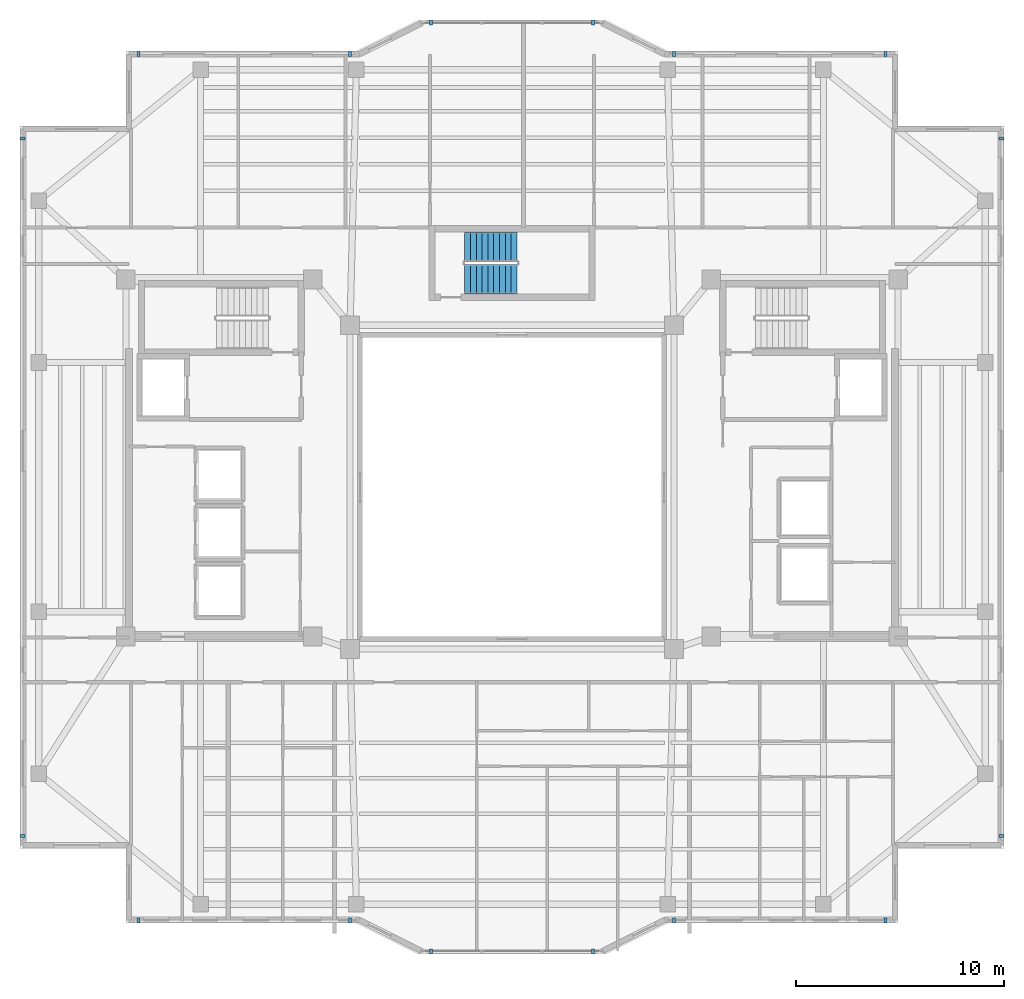
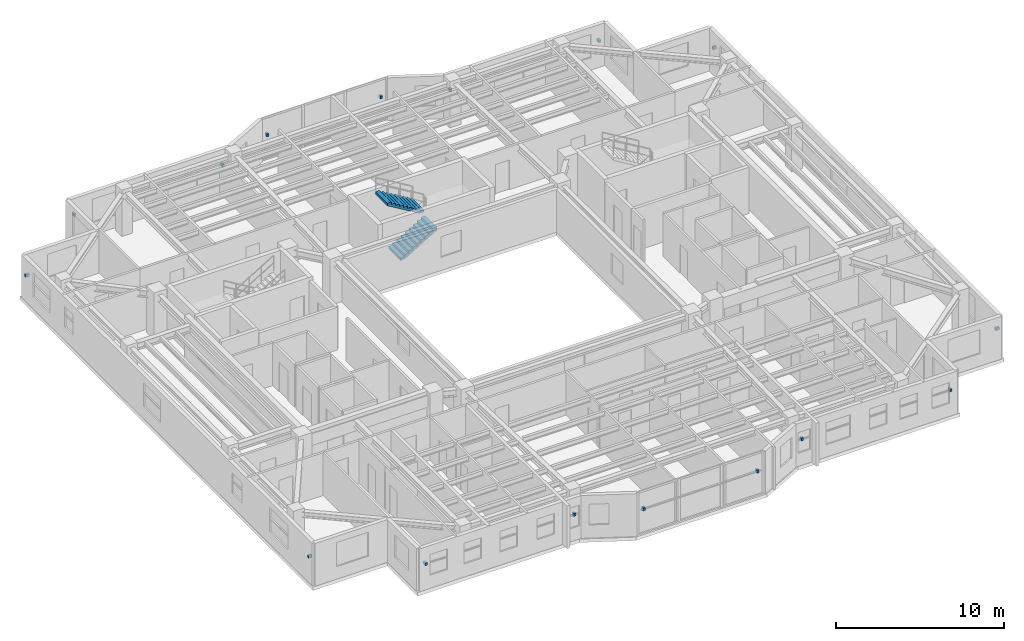
# One storey, part 11 of 14: 16 discrete accessories, 2 stair flights, 1 element without a shape of its own.
"""IFC4 building model written with IfcOpenShell, lengths in metres."""

from ifc_helpers import new_model, si_unit, direction, frame, origin, origin_2d, place, context, subcontext, project, spatial, polyline, rectangle, outline, extrude, material, type_object, element, aggregate, save


model = new_model("IFC4")

# Units and contexts
model_context = context("Model", 3, precision=1e-05, world=origin(), true_north=direction((0.0, 1.0)))
body_context = subcontext(model_context, "Body", "Model", "MODEL_VIEW")
ifc_project = project(units=[si_unit("LENGTHUNIT", "METRE"), si_unit("AREAUNIT", "SQUARE_METRE"), si_unit("VOLUMEUNIT", "CUBIC_METRE"), si_unit("PLANEANGLEUNIT", "RADIAN"), si_unit("MASSUNIT", "GRAM", prefix="KILO")], contexts=[model_context])

# Site, building, storey
site_placement = place(None, origin())
site = spatial("IfcSite", under=ifc_project, at=site_placement, CompositionType="ELEMENT")
building_placement = place(site_placement, origin())
building = spatial("IfcBuilding", under=site, at=building_placement, Name="Tarnavaz Court Tower", CompositionType="ELEMENT")
storey_placement = place(building_placement, frame((0.0, 0.0, 190.25)))
storey = spatial("IfcBuildingStorey", under=building, at=storey_placement, Name="L51", CompositionType="ELEMENT", Elevation=190.25)

# Stair, stair flights
ifc_material_1 = material(Name="Concrete C40/50", Category="concrete")
stair_type = type_object("IfcStairType", Name="ST-TWR-20R", PredefinedType="HALF_TURN_STAIR", material=ifc_material_1)
stair_placement = place(storey_placement, origin())
stair = element("IfcStair", 1, at=stair_placement, inside=storey, type_object=stair_type, Name="L51 North Ring Pressurized Exit Stair ST-N1", PredefinedType="HALF_TURN_STAIR")
stair_flight_type = type_object("IfcStairFlightType", Name="SFL-RC-20R", PredefinedType="STRAIGHT", material=ifc_material_1)
stair_flight_1_placement = place(storey_placement, frame((-2.280029296875, 10.010009765625, 0.0), z_axis=(0.0, 0.0, 1.0), x_axis=(1.0, 0.0, 0.0)))
stair_flight_1 = element("IfcStairFlight", 2, at=stair_flight_1_placement, type_object=stair_flight_type, Name="ST-N1 flight 1", NumberOfRisers=10, NumberOfTreads=9, PredefinedType="STRAIGHT", RiserHeight=0.1675, TreadLength=0.28, context=body_context, shape_type="SweptSolid", body=[
    extrude(outline(polyline([(0.0, 0.0), (0.0, 0.16748046875), (0.280029296875, 0.16748046875), (0.280029296875, 0.3349609375), (0.56005859375, 0.3349609375), (0.56005859375, 0.50244140625), (0.840087890625, 0.50244140625), (0.840087890625, 0.669921875), (1.1201171875, 0.669921875), (1.1201171875, 0.83740234375), (1.39990234375, 0.83740234375), (1.39990234375, 1.0048828125), (1.679931640625, 1.0048828125), (1.679931640625, 1.172607421875), (1.9599609375, 1.172607421875), (1.9599609375, 1.340087890625), (2.239990234375, 1.340087890625), (2.239990234375, 1.507568359375), (2.52001953125, 1.507568359375), (2.52001953125, 1.675048828125), (2.52001953125, 1.332763671875), (0.2919921875, 0.0), (0.0, 0.0)])), frame((0.0, 0.7099609375, 0.0), z_axis=(0.0, -1.0, 0.0), x_axis=(1.0, 0.0, 0.0)), (0.0, 0.0, 1.0), 1.419921875),
])
stair_flight_2_placement = place(storey_placement, frame((0.239990234375, 11.580078125, 1.675048828125), z_axis=(0.0, 0.0, 1.0), x_axis=(-1.0, 0.0, 0.0)))
stair_flight_2 = element("IfcStairFlight", 3, at=stair_flight_2_placement, type_object=stair_flight_type, Name="ST-N1 flight 2", NumberOfRisers=10, NumberOfTreads=9, PredefinedType="STRAIGHT", RiserHeight=0.1675, TreadLength=0.28, context=body_context, shape_type="SweptSolid", body=[
    extrude(outline(polyline([(0.0, 0.0), (0.0, 0.16748046875), (0.280029296875, 0.16748046875), (0.280029296875, 0.3349609375), (0.56005859375, 0.3349609375), (0.56005859375, 0.50244140625), (0.840087890625, 0.50244140625), (0.840087890625, 0.669921875), (1.1201171875, 0.669921875), (1.1201171875, 0.83740234375), (1.39990234375, 0.83740234375), (1.39990234375, 1.0048828125), (1.679931640625, 1.0048828125), (1.679931640625, 1.172607421875), (1.9599609375, 1.172607421875), (1.9599609375, 1.340087890625), (2.239990234375, 1.340087890625), (2.239990234375, 1.507568359375), (2.52001953125, 1.507568359375), (2.52001953125, 1.675048828125), (2.52001953125, 1.332763671875), (0.2919921875, 0.0), (0.0, 0.0)])), frame((0.0, 0.7099609375, 0.0), z_axis=(0.0, -1.0, 0.0), x_axis=(1.0, 0.0, 0.0)), (0.0, 0.0, 1.0), 1.419921875),
])
aggregate(stair, [stair_flight_1, stair_flight_2])

# Discrete accessories
ifc_material_2 = material(Name="Anodised Aluminium 6063-T6", Category="aluminium")
discrete_accessory_type = type_object("IfcDiscreteAccessoryType", Name="DA-BRKT-ALU", PredefinedType="BRACKET", material=ifc_material_2)
for number, where, z_axis, x_axis, name in (
    (4, (-23.570068359375, -16.800048828125, 1.75), (0.0, 0.0, 1.0), (0.0, 1.0, 0.0), "L51 Baguette Outrigger Bracket FBG02-1"),
    (5, (-23.570068359375, 16.800048828125, 1.75), (0.0, 0.0, 1.0), (0.0, 1.0, 0.0), "L51 Baguette Outrigger Bracket FBG02-2"),
    (6, (-18.0, 20.8701171875, 1.75), (0.0, 0.0, 1.0), (1.0, 0.0, 0.0), "L51 Baguette Outrigger Bracket FBG05-1"),
    (7, (-7.800048828125, 20.8701171875, 1.75), (0.0, 0.0, 1.0), (1.0, 0.0, 0.0), "L51 Baguette Outrigger Bracket FBG05-2"),
    (8, (-3.89990234375, 22.3701171875, 1.7001953125), (0.0, 0.0, 1.0), (1.0, 0.0, 0.0), "L51 Baguette Outrigger Bracket PBG7-1"),
    (9, (3.89990234375, 22.3701171875, 1.7001953125), (0.0, 0.0, 1.0), (1.0, 0.0, 0.0), "L51 Baguette Outrigger Bracket PBG7-2"),
    (10, (7.800048828125, 20.8701171875, 1.75), (0.0, 0.0, 1.0), (1.0, 0.0, 0.0), "L51 Baguette Outrigger Bracket FBG09-1"),
    (11, (18.0, 20.8701171875, 1.75), (0.0, 0.0, 1.0), (1.0, 0.0, 0.0), "L51 Baguette Outrigger Bracket FBG09-2"),
    (12, (23.570068359375, 16.800048828125, 1.75), (0.0, 0.0, 1.0), (0.0, -1.0, 0.0), "L51 Baguette Outrigger Bracket FBG12-1"),
    (13, (23.570068359375, -16.800048828125, 1.75), (0.0, 0.0, 1.0), (0.0, -1.0, 0.0), "L51 Baguette Outrigger Bracket FBG12-2"),
    (14, (18.0, -20.8701171875, 1.75), (0.0, 0.0, 1.0), (-1.0, 0.0, 0.0), "L51 Baguette Outrigger Bracket FBG15-1"),
    (15, (7.800048828125, -20.8701171875, 1.75), (0.0, 0.0, 1.0), (-1.0, 0.0, 0.0), "L51 Baguette Outrigger Bracket FBG15-2"),
    (16, (3.89990234375, -22.3701171875, 1.7001953125), (0.0, 0.0, 1.0), (-1.0, 0.0, 0.0), "L51 Baguette Outrigger Bracket PBG17-1"),
    (17, (-3.89990234375, -22.3701171875, 1.7001953125), (0.0, 0.0, 1.0), (-1.0, 0.0, 0.0), "L51 Baguette Outrigger Bracket PBG17-2"),
    (18, (-7.800048828125, -20.8701171875, 1.75), (0.0, 0.0, 1.0), (-1.0, 0.0, 0.0), "L51 Baguette Outrigger Bracket FBG19-1"),
    (19, (-18.0, -20.8701171875, 1.75), (0.0, 0.0, 1.0), (-1.0, 0.0, 0.0), "L51 Baguette Outrigger Bracket FBG19-2"),
):
    element("IfcDiscreteAccessory", number, at=place(storey_placement, frame(where, z_axis=z_axis, x_axis=x_axis)), inside=storey, type_object=discrete_accessory_type, Name=name, PredefinedType="BRACKET", context=body_context, shape_type="SweptSolid", body=[
        extrude(rectangle(XDim=0.139892578125, YDim=0.239990234375, at=origin_2d()), origin(), (0.0, 0.0, 1.0), 0.199951171875),
    ])

save(model, "model.ifc")
